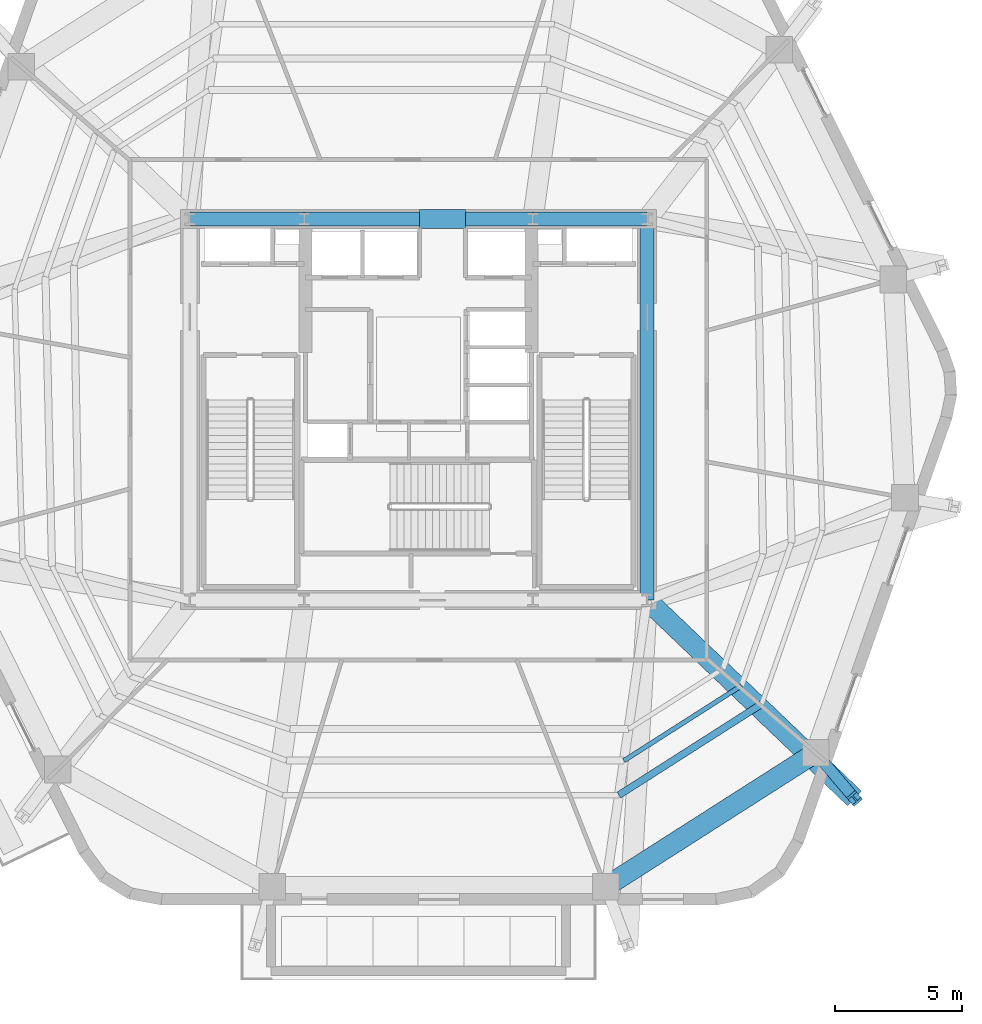
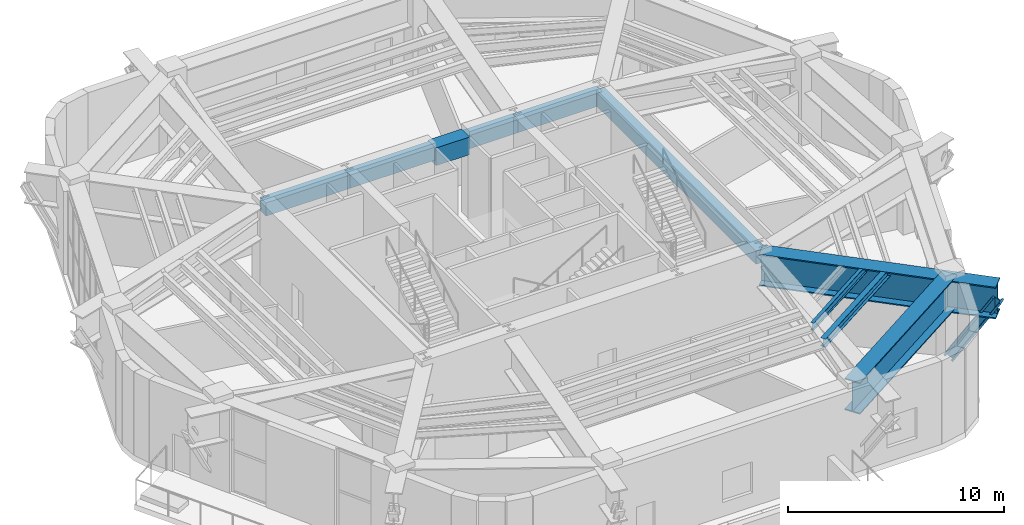
# One storey, part 5 of 18: 9 beams, 1 member.
"""IFC4 building model written with IfcOpenShell, lengths in metres."""

import ifcopenshell
import ifcopenshell.guid

model = None  # the IFC model being written
_history = None  # IfcOwnerHistory: only IFC2X3 demands one
_inside = {}  # id of a spatial element -> (the spatial element, [elements in it])
_under = {}  # id of a project, library or spatial element -> (it, [spatial elements below it])
_declared = {}  # id of a project -> (the project, [libraries it declares])
_typed = {}  # id of a type object -> (the type object, [elements of that type])
_made_of = {}  # id of a material, layer set ... -> (it, [elements and type objects made of it])


def new_model(schema):
    """Start an empty IFC model of exactly this schema.

    Asked for "IFC4X3", IfcOpenShell would pick the latest addendum, in which some entities
    have other attributes; the version numbers below select the first issue.
    IFC2X3 requires an IfcOwnerHistory on every rooted entity: one is made here for all.
    """
    global model, _history
    if schema == "IFC4X3":
        model = ifcopenshell.file(schema_version=(4, 3, 0, 0))
    else:
        model = ifcopenshell.file(schema=schema)
    _inside.clear()
    _under.clear()
    _declared.clear()
    _typed.clear()
    _made_of.clear()
    _history = None
    if model.schema == "IFC2X3":
        org = make("IfcOrganization", Name="unknown")
        user = make(
            "IfcPersonAndOrganization",
            ThePerson=make("IfcPerson", FamilyName="unknown"),
            TheOrganization=org,
        )
        app = make(
            "IfcApplication",
            ApplicationDeveloper=org,
            Version="unknown",
            ApplicationFullName="unknown",
            ApplicationIdentifier="unknown",
        )
        _history = make(
            "IfcOwnerHistory",
            OwningUser=user,
            OwningApplication=app,
            ChangeAction="ADDED",
            CreationDate=0,
        )
    return model


def make(cls, **values):
    """One entity of the class cls with the attributes given. An attribute that is None is left unset."""
    return model.create_entity(
        cls, **{name: value for name, value in values.items() if value is not None}
    )


def rooted(cls, **values):
    """An entity with a GlobalId (a new one), such as an element, a storey or a relation."""
    return make(cls, GlobalId=ifcopenshell.guid.new(), OwnerHistory=_history, **values)


def si_unit(unit_type, name, prefix=None):
    """IfcSIUnit, for example si_unit("LENGTHUNIT", "METRE", prefix="MILLI")."""
    return make("IfcSIUnit", UnitType=unit_type, Prefix=prefix, Name=name)


def assignment(units):
    """IfcUnitAssignment: the units of a project."""
    return None if units is None else make("IfcUnitAssignment", Units=units)


def point(xyz):
    """IfcCartesianPoint."""
    return None if xyz is None else make("IfcCartesianPoint", Coordinates=xyz)


def direction(xyz):
    """IfcDirection."""
    return None if xyz is None else make("IfcDirection", DirectionRatios=xyz)


def frame(location, z_axis=None, x_axis=None):
    """IfcAxis2Placement3D, a coordinate frame: its origin and axes. An axis left out is left unset."""
    return make(
        "IfcAxis2Placement3D",
        Location=point(location),
        Axis=direction(z_axis),
        RefDirection=direction(x_axis),
    )


def frame_2d(location, x_axis=None):
    """IfcAxis2Placement2D, a coordinate frame in the plane: its origin and x axis."""
    return make(
        "IfcAxis2Placement2D", Location=point(location), RefDirection=direction(x_axis)
    )


def origin():
    """The frame at (0, 0, 0) with its axes left unset."""
    return frame((0.0, 0.0, 0.0))


def origin_2d():
    """The frame at (0, 0) in the plane with its x axis left unset."""
    return frame_2d((0.0, 0.0))


def place(relative_to, where):
    """IfcLocalPlacement: puts the frame where relative to a parent placement (None: the world)."""
    return make(
        "IfcLocalPlacement", PlacementRelTo=relative_to, RelativePlacement=where
    )


def context(
    kind, dimensions, precision=None, world=None, true_north=None, identifier=None
):
    """IfcGeometricRepresentationContext, for example the 3D "Model" context."""
    return make(
        "IfcGeometricRepresentationContext",
        ContextIdentifier=identifier,
        ContextType=kind,
        CoordinateSpaceDimension=dimensions,
        Precision=precision,
        WorldCoordinateSystem=world,
        TrueNorth=true_north,
    )


def subcontext(parent, identifier, kind, view, scale=None):
    """IfcGeometricRepresentationSubContext, for example "Body" below "Model"."""
    return make(
        "IfcGeometricRepresentationSubContext",
        ContextIdentifier=identifier,
        ContextType=kind,
        ParentContext=parent,
        TargetScale=scale,
        TargetView=view,
    )


def project(units=None, contexts=None):
    """IfcProject with its units and contexts."""
    return rooted(
        "IfcProject",
        Name="project",
        RepresentationContexts=contexts,
        UnitsInContext=assignment(units),
    )


def spatial(cls, under=None, at=None, **own):
    """A site, building, storey or space (cls), placed at a placement, below another one or the project."""
    s = rooted(cls, ObjectPlacement=at, **own)
    if under is not None:
        _under.setdefault(under.id(), (under, []))[1].append(s)
    return s


def profile(cls, at=None, kind="AREA", **sizes):
    """A parametric profile (cls). Its sizes go by their IFC names, for example OverallWidth=200.0."""
    return make(cls, ProfileType=kind, Position=at, **sizes)


def rectangle(**sizes):
    """IfcRectangleProfileDef."""
    return profile("IfcRectangleProfileDef", **sizes)


def i_section(**sizes):
    """IfcIShapeProfileDef."""
    return profile("IfcIShapeProfileDef", **sizes)


def extrude(swept, where, along, depth):
    """IfcExtrudedAreaSolid: the profile swept, set in the frame where, extruded along a direction by depth."""
    return make(
        "IfcExtrudedAreaSolid",
        SweptArea=swept,
        Position=where,
        ExtrudedDirection=direction(along),
        Depth=depth,
    )


def shape(context_of_items, identifier, shape_type, items):
    """IfcShapeRepresentation: the items that make up one representation, for example the "Body"."""
    return make(
        "IfcShapeRepresentation",
        ContextOfItems=context_of_items,
        RepresentationIdentifier=identifier,
        RepresentationType=shape_type,
        Items=items,
    )


def material(Name=None, Category=None):
    """IfcMaterial."""
    return make("IfcMaterial", Name=Name, Category=Category)


def material_profile(
    of_material, cross_section, Name=None, Category=None, Priority=None
):
    """IfcMaterialProfile: a cross section and its material."""
    return make(
        "IfcMaterialProfile",
        Name=Name,
        Material=of_material,
        Profile=cross_section,
        Priority=Priority,
        Category=Category,
    )


def profile_set(profiles, Name=None, composite=None):
    """IfcMaterialProfileSet."""
    return make(
        "IfcMaterialProfileSet",
        Name=Name,
        MaterialProfiles=profiles,
        CompositeProfile=composite,
    )


def made_of(thing, what):
    """Note that an element or type object is made of a material, layer set ...; save() writes the relation."""
    if what is not None:
        _made_of.setdefault(what.id(), (what, []))[1].append(thing)
    return thing


def type_object(cls, material=None, **own):
    """A type object (cls), such as IfcWallType, which elements share."""
    return made_of(rooted(cls, **own), material)


def element(
    cls,
    number,
    at=None,
    inside=None,
    cuts=None,
    type_object=None,
    material=None,
    context=None,
    identifier="Body",
    shape_type=None,
    held_by="IfcProductDefinitionShape",
    body=None,
    shapes=None,
    **own,
):
    """One element of the class cls, such as IfcWall. Its Tag is "e" and its number.

    at: its placement. inside: the storey or other place that contains it. cuts: it is an
    opening in that element (IfcRelVoidsElement). A single representation is given by context,
    identifier, shape_type and body (its items); several are given by shapes. held_by: the class
    of the entity that holds the representations. save() writes the other relations.
    """
    e = rooted(cls, Tag="e%d" % number, ObjectPlacement=at, **own)
    if body is not None:
        shapes = [shape(context, identifier, shape_type, body)]
    if shapes is not None:
        e.Representation = make(held_by, Representations=shapes)
    if inside is not None:
        _inside.setdefault(inside.id(), (inside, []))[1].append(e)
    if cuts is not None:
        rooted(
            "IfcRelVoidsElement", RelatingBuildingElement=cuts, RelatedOpeningElement=e
        )
    if type_object is not None:
        _typed.setdefault(type_object.id(), (type_object, []))[1].append(e)
    return made_of(e, material)


def aggregate(whole, parts):
    """IfcRelAggregates: a whole, such as a stair, and the parts it consists of."""
    return rooted("IfcRelAggregates", RelatingObject=whole, RelatedObjects=parts)


def save(model, path):
    """Write the relations noted so far, then the file.

    IfcRelAggregates (storeys below a building ...), IfcRelContainedInSpatialStructure (elements
    in a storey), IfcRelDefinesByType, IfcRelAssociatesMaterial and IfcRelDeclares: one each for
    every whole, place, type object, material and project.
    """
    for whole, parts in _under.values():
        aggregate(whole, parts)
    for where, things in _inside.values():
        rooted(
            "IfcRelContainedInSpatialStructure",
            RelatedElements=things,
            RelatingStructure=where,
        )
    for kind, things in _typed.values():
        rooted("IfcRelDefinesByType", RelatedObjects=things, RelatingType=kind)
    for what, things in _made_of.values():
        rooted("IfcRelAssociatesMaterial", RelatedObjects=things, RelatingMaterial=what)
    for by, libraries in _declared.values():
        rooted("IfcRelDeclares", RelatingContext=by, RelatedDefinitions=libraries)
    model.write(path)


model = new_model("IFC4")

# Units and contexts
model_context = context("Model", 3, precision=1e-05, world=origin(), true_north=direction((0.0, 1.0)))
body_context = subcontext(model_context, "Body", "Model", "MODEL_VIEW")
ifc_project = project(units=[si_unit("LENGTHUNIT", "METRE"), si_unit("AREAUNIT", "SQUARE_METRE"), si_unit("VOLUMEUNIT", "CUBIC_METRE"), si_unit("PLANEANGLEUNIT", "RADIAN"), si_unit("MASSUNIT", "GRAM", prefix="KILO")], contexts=[model_context])

# Site, building, storey
site_placement = place(None, origin())
site = spatial("IfcSite", under=ifc_project, at=site_placement, CompositionType="ELEMENT")
building_placement = place(site_placement, origin())
building = spatial("IfcBuilding", under=site, at=building_placement, Name="Kilnhurst Terrace Hotel", CompositionType="ELEMENT")
storey_placement = place(building_placement, frame((0.0, 0.0, 201.5)))
storey = spatial("IfcBuildingStorey", under=building, at=storey_placement, Name="L50", CompositionType="ELEMENT", Elevation=201.5)

# Beams
ifc_material_1 = material(Name="Concrete C50/60", Category="concrete")
ifc_material_profile_1 = material_profile(ifc_material_1, rectangle(XDim=0.550048828125, YDim=0.75, at=origin_2d()), Name="RC550X750")
ifc_profile_set_1 = profile_set([ifc_material_profile_1], Name="Concrete C50/60")
beam_type_1 = type_object("IfcBeamType", Name="BM-SPN-550X750", PredefinedType="SPANDREL", material=ifc_profile_set_1)
beam_1_placement = place(storey_placement, frame((-9.0, 7.5, 4.324951171875), z_axis=(1.0, 0.0, 0.0), x_axis=(0.0, 1.0, 0.0)))
element("IfcBeam", 1, at=beam_1_placement, inside=storey, type_object=beam_type_1, Name="L50 Core Tie Beam CC-NW to CC-NC1", PredefinedType="SPANDREL", context=body_context, shape_type="SweptSolid", body=[
    extrude(rectangle(XDim=0.550048828125, YDim=0.75, at=origin_2d()), origin(), (0.0, 0.0, 1.0), 4.5),
])
beam_2_placement = place(storey_placement, frame((-4.5, 7.5, 4.324951171875), z_axis=(1.0, 0.0, 0.0), x_axis=(0.0, 1.0, 0.0)))
element("IfcBeam", 2, at=beam_2_placement, inside=storey, type_object=beam_type_1, Name="L50 Core Tie Beam CC-NC1 to CC-NC2", PredefinedType="SPANDREL", context=body_context, shape_type="SweptSolid", body=[
    extrude(rectangle(XDim=0.550048828125, YDim=0.75, at=origin_2d()), origin(), (0.0, 0.0, 1.0), 9.0),
])
beam_3_placement = place(storey_placement, frame((4.5, 7.5, 4.324951171875), z_axis=(1.0, 0.0, 0.0), x_axis=(0.0, 1.0, 0.0)))
element("IfcBeam", 3, at=beam_3_placement, inside=storey, type_object=beam_type_1, Name="L50 Core Tie Beam CC-NC2 to CC-NE", PredefinedType="SPANDREL", context=body_context, shape_type="SweptSolid", body=[
    extrude(rectangle(XDim=0.550048828125, YDim=0.75, at=origin_2d()), origin(), (0.0, 0.0, 1.0), 4.5),
])
beam_4_placement = place(storey_placement, frame((9.0, -7.5, 4.324951171875), z_axis=(0.0, 1.0, 0.0), x_axis=(-1.0, 0.0, 0.0)))
element("IfcBeam", 4, at=beam_4_placement, inside=storey, type_object=beam_type_1, Name="L50 Core Tie Beam CC-SE to CC-NE", PredefinedType="SPANDREL", context=body_context, shape_type="SweptSolid", body=[
    extrude(rectangle(XDim=0.550048828125, YDim=0.75, at=origin_2d()), origin(), (0.0, 0.0, 1.0), 15.0),
])
ifc_material_2 = material(Name="Steel ASTM A992 Grade 50", Category="steel")
ifc_material_profile_2 = material_profile(ifc_material_2, i_section(OverallWidth=0.180908203125, OverallDepth=0.417236328125, WebThickness=0.010986328125, FlangeThickness=0.018310546875, at=origin_2d()), Name="W16X57")
ifc_profile_set_2 = profile_set([ifc_material_profile_2], Name="Steel ASTM A992 Grade 50")
beam_type_2 = type_object("IfcBeamType", Name="JST-STL-W16X57", PredefinedType="JOIST", material=ifc_profile_set_2)
beam_5_placement = place(storey_placement, frame((8.086669921875, -13.81689453125, 4.490966796875), z_axis=(0.842913627897, 0.538048897318, 0.0), x_axis=(-0.538048897318, 0.842913627897, 0.0)))
element("IfcBeam", 5, at=beam_5_placement, inside=storey, type_object=beam_type_2, Name="L50 Secondary Floor Steel Joist MID.2", PredefinedType="JOIST", context=body_context, shape_type="SweptSolid", body=[
    extrude(i_section(OverallWidth=0.180908203125, OverallDepth=0.417236328125, WebThickness=0.010986328125, FlangeThickness=0.018310546875, at=origin_2d()), origin(), (0.0, 0.0, 1.0), 5.490478515625),
])
ifc_material_profile_3 = material_profile(ifc_material_2, i_section(OverallWidth=0.279296875, OverallDepth=0.462890625, WebThickness=0.0107421875, FlangeThickness=0.017333984375, at=origin_2d()), Name="W18X76")
ifc_profile_set_3 = profile_set([ifc_material_profile_3], Name="Steel ASTM A992 Grade 50")
beam_type_3 = type_object("IfcBeamType", Name="JST-STL-W18X76", PredefinedType="JOIST", material=ifc_profile_set_3)
beam_6_placement = place(storey_placement, frame((7.890869140625, -15.17041015625, 4.468017578125), z_axis=(0.842927863369, 0.538026595213, 0.0), x_axis=(-0.538026595213, 0.842927863369, 0.0)))
element("IfcBeam", 6, at=beam_6_placement, inside=storey, type_object=beam_type_3, Name="L50 Secondary Floor Steel Joist OUT.2", PredefinedType="JOIST", context=body_context, shape_type="SweptSolid", body=[
    extrude(i_section(OverallWidth=0.279296875, OverallDepth=0.462890625, WebThickness=0.0107421875, FlangeThickness=0.017333984375, at=origin_2d()), origin(), (0.0, 0.0, 1.0), 6.666748046875),
])
ifc_material_3 = material(Name="Concrete C60/75", Category="concrete")
ifc_material_profile_4 = material_profile(ifc_material_3, rectangle(XDim=0.75, YDim=1.0, at=origin_2d()), Name="RC750X1000")
ifc_profile_set_4 = profile_set([ifc_material_profile_4], Name="Concrete C60/75")
beam_type_4 = type_object("IfcBeamType", Name="LNT-CB-750X1000", PredefinedType="LINTEL", material=ifc_profile_set_4)
beam_7_placement = place(storey_placement, frame((0.050048828125, 7.5, 4.199951171875), z_axis=(1.0, 0.0, 0.0), x_axis=(0.0, 1.0, 0.0)))
element("IfcBeam", 7, at=beam_7_placement, inside=storey, type_object=beam_type_4, Name="L50 North Core Coupling Link Beam", PredefinedType="LINTEL", context=body_context, shape_type="SweptSolid", body=[
    extrude(rectangle(XDim=0.75, YDim=1.0, at=origin_2d()), origin(), (0.0, 0.0, 1.0), 1.800048828125),
])

# Member
ifc_material_profile_5 = material_profile(ifc_material_2, i_section(OverallWidth=0.44189453125, OverallDepth=0.531494140625, WebThickness=0.06591796875, FlangeThickness=0.105712890625, at=origin_2d()), Name="W14X605")
ifc_profile_set_5 = profile_set([ifc_material_profile_5], Name="Steel ASTM A992 Grade 50")
member_type = type_object("IfcMemberType", Name="MEM-OTR-DIAG-605", PredefinedType="BRACE", material=ifc_profile_set_5)
member_placement = place(storey_placement, frame((15.633056640625, -13.5048828125, 0.0), z_axis=(0.342548946725, -0.402013567195, 0.84914386937), x_axis=(0.761156353551, 0.648568427731, 0.0)))
element("IfcMember", 8, at=member_placement, inside=storey, type_object=member_type, Name="L50 Waist Flare Inclined Column Strut 3", PredefinedType="BRACE", context=body_context, shape_type="SweptSolid", body=[
    extrude(i_section(OverallWidth=0.44189453125, OverallDepth=0.531494140625, WebThickness=0.06591796875, FlangeThickness=0.105712890625, at=origin_2d()), origin(), (0.0, 0.0, 1.0), 4.47509765625),
])

# Beams
ifc_material_4 = material(Name="Steel ASTM A572 Grade 50", Category="steel")
ifc_material_profile_6 = material_profile(ifc_material_4, i_section(OverallWidth=0.800048828125, OverallDepth=1.800048828125, WebThickness=0.0400390625, FlangeThickness=0.06494140625, at=origin_2d()), Name="PG1800X800")
ifc_profile_set_6 = profile_set([ifc_material_profile_6], Name="Steel ASTM A572 Grade 50")
beam_type_5 = type_object("IfcBeamType", Name="TG-STEP-1800", PredefinedType="USERDEFINED", material=ifc_profile_set_6)
beam_8_placement = place(storey_placement, frame((7.368896484375, -18.780029296875, 3.800048828125), z_axis=(0.842915241256, 0.538046369803, 0.0), x_axis=(-0.538046369803, 0.842915241256, 0.0)))
element("IfcBeam", 9, at=beam_8_placement, inside=storey, type_object=beam_type_5, Name="L50 Zone Step Perimeter Transfer Girder 2", ObjectType="GIRDER", PredefinedType="USERDEFINED", context=body_context, shape_type="SweptSolid", body=[
    extrude(i_section(OverallWidth=0.800048828125, OverallDepth=1.800048828125, WebThickness=0.0400390625, FlangeThickness=0.06494140625, at=origin_2d()), origin(), (0.0, 0.0, 1.0), 9.80419921875),
])
beam_9_placement = place(storey_placement, frame((9.0, -7.5, 3.800048828125), z_axis=(0.722952064528, -0.690898192497, 0.0), x_axis=(0.690898192497, 0.722952064528, 0.0)))
element("IfcBeam", 10, at=beam_9_placement, inside=storey, type_object=beam_type_5, Name="L50 Zone Flare Radial Transfer Girder 3", ObjectType="GIRDER", PredefinedType="USERDEFINED", context=body_context, shape_type="SweptSolid", body=[
    extrude(i_section(OverallWidth=0.800048828125, OverallDepth=1.800048828125, WebThickness=0.0400390625, FlangeThickness=0.06494140625, at=origin_2d()), origin(), (0.0, 0.0, 1.0), 11.29541015625),
])

save(model, "model.ifc")
